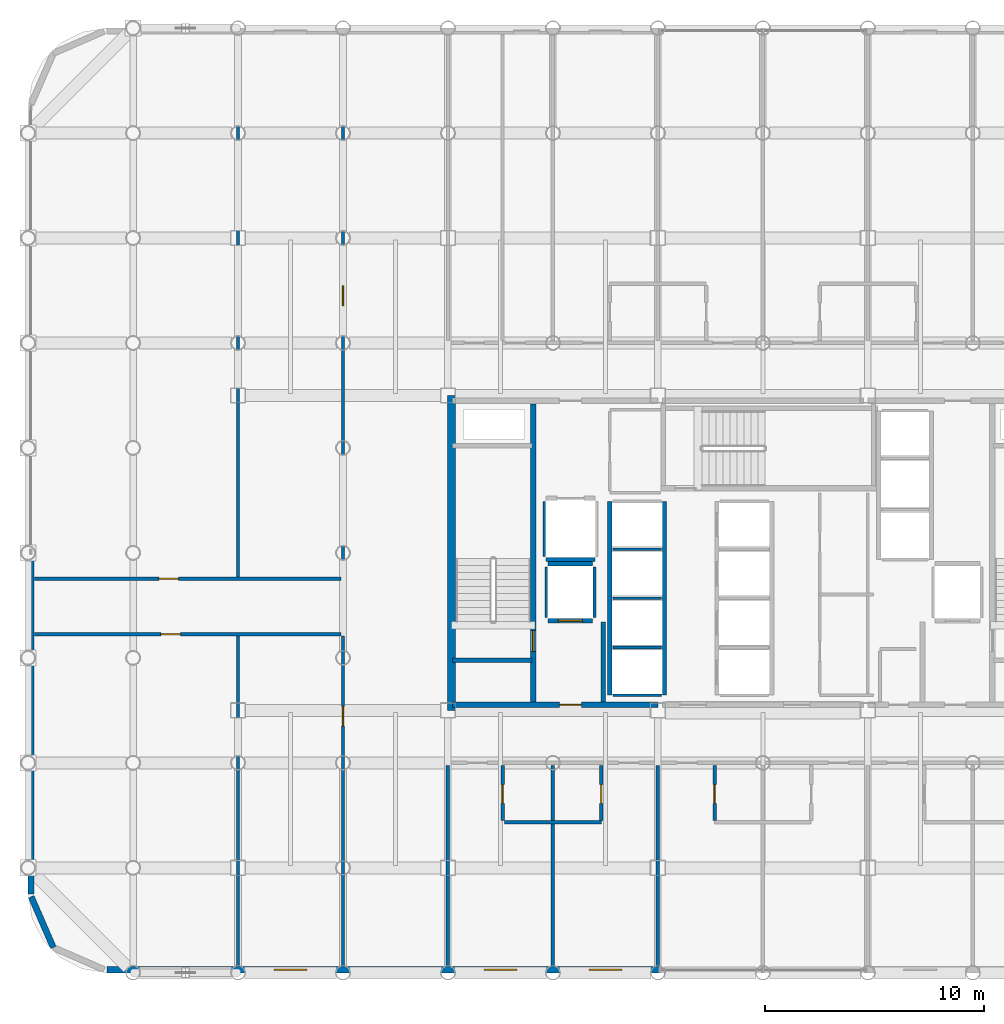
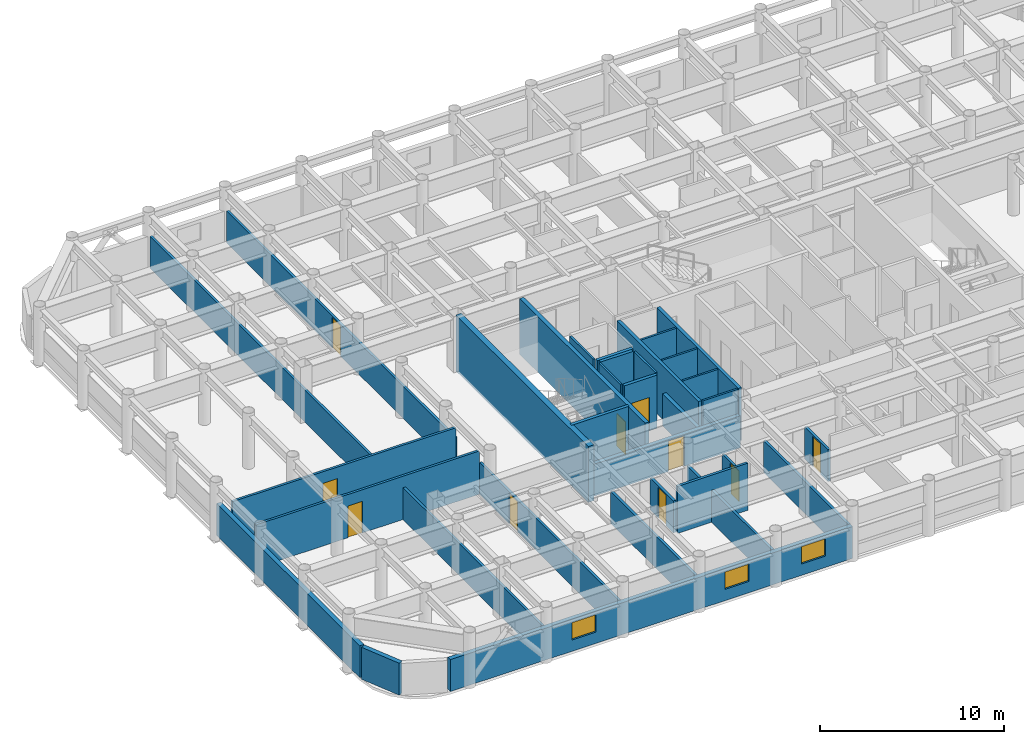
# One storey, part 17 of 23: 33 walls, 10 doors, 3 windows, 13 openings.
"""IFC4 building model written with IfcOpenShell, lengths in metres."""

from ifc_helpers import new_model, si_unit, direction, frame, frame_2d, origin, place, context, subcontext, project, spatial, rectangle, extrude, material, layer, layer_set, type_object, element, fill, save


model = new_model("IFC4")

# Units and contexts
model_context = context("Model", 3, precision=1e-05, world=origin(), true_north=direction((0.0, 1.0)))
body_context = subcontext(model_context, "Body", "Model", "MODEL_VIEW")
ifc_project = project(units=[si_unit("LENGTHUNIT", "METRE"), si_unit("AREAUNIT", "SQUARE_METRE"), si_unit("VOLUMEUNIT", "CUBIC_METRE"), si_unit("PLANEANGLEUNIT", "RADIAN"), si_unit("MASSUNIT", "GRAM", prefix="KILO")], contexts=[model_context])

# Site, building, storey
site_placement = place(None, origin())
site = spatial("IfcSite", under=ifc_project, at=site_placement, CompositionType="ELEMENT")
building_placement = place(site_placement, origin())
building = spatial("IfcBuilding", under=site, at=building_placement, Name="Kallvorn Hotel Tower", CompositionType="ELEMENT")
storey_placement = place(building_placement, frame((0.0, 0.0, 124.800048828125)))
storey = spatial("IfcBuildingStorey", under=building, at=storey_placement, Name="L30", CompositionType="ELEMENT", Elevation=124.800048828125)

# Walls
ifc_material_1 = material(Name="Concrete C50/60", Category="concrete")
ifc_layer_1 = layer(ifc_material_1, 0.35009765625)
ifc_layer_set_1 = layer_set([ifc_layer_1], Name="WL_CORE_350")
wall_type_1 = type_object("IfcWallType", Name="WL_CORE_350", PredefinedType="SHEAR", material=ifc_layer_set_1)
wall_1_placement = place(storey_placement, frame((-14.239990234375, -7.199951171875, -0.179931640625), z_axis=(0.0, 0.0, 1.0), x_axis=(0.0, 1.0, 0.0)))
element("IfcWall", 1, at=wall_1_placement, inside=storey, type_object=wall_type_1, Name="L30 Core West Shear Wall", PredefinedType="SHEAR", context=body_context, shape_type="SweptSolid", body=[
    extrude(rectangle(XDim=14.39990234375, YDim=0.35009765625, at=frame_2d((7.199951171875, 0.0))), origin(), (0.0, 0.0, 1.0), 3.699951171875),
])
ifc_material_2 = material(Name="Fire-rated double-layer acoustic gypsum drywall EI 60")
ifc_layer_2 = layer(ifc_material_2, 0.159912109375)
ifc_layer_set_2 = layer_set([ifc_layer_2], Name="WL_DEMISE_160")
wall_type_2 = type_object("IfcWallType", Name="WL_DEMISE_160", PredefinedType="PARTITIONING", material=ifc_layer_set_2)
wall_2_placement = place(storey_placement, frame((-11.81005859375, -12.320068359375, 0.0), z_axis=(0.0, 0.0, 1.0), x_axis=(1.0, 0.0, 0.0)))
element("IfcWall", 2, at=wall_2_placement, inside=storey, type_object=wall_type_2, Name="L30 Suite 3001 Superior Twin Room Partition", PredefinedType="PARTITIONING", context=body_context, shape_type="SweptSolid", body=[
    extrude(rectangle(XDim=4.420166015625, YDim=0.159912109375, at=frame_2d((2.2099609375, 0.0))), origin(), (0.0, 0.0, 1.0), 3.119873046875),
])
wall_3_placement = place(storey_placement, frame((-14.39990234375, -18.909912109375, 0.0), z_axis=(0.0, 0.0, 1.0), x_axis=(0.0, 1.0, 0.0)))
element("IfcWall", 3, at=wall_3_placement, inside=storey, type_object=wall_type_2, Name="L30 Suite 3001 Superior Twin Room Partition", PredefinedType="PARTITIONING", context=body_context, shape_type="SweptSolid", body=[
    extrude(rectangle(XDim=9.18994140625, YDim=0.159912109375, at=frame_2d((4.594970703125, 0.0))), origin(), (0.0, 0.0, 1.0), 2.119873046875),
])

# Wall, opening, door
wall_4_placement = place(storey_placement, frame((-11.905029296875, -12.235107421875, 0.0), z_axis=(0.0, 0.0, 1.0), x_axis=(0.0, 1.0, 0.0)))
wall_4 = element("IfcWall", 4, at=wall_4_placement, inside=storey, type_object=wall_type_2, Name="L30 Suite 3001 Superior Twin Room Partition", PredefinedType="PARTITIONING", context=body_context, shape_type="SweptSolid", body=[
    extrude(rectangle(XDim=2.51513671875, YDim=0.159912109375, at=frame_2d((1.257568359375, 0.0))), origin(), (0.0, 0.0, 1.0), 2.119873046875),
])
opening_1_placement = place(wall_4_placement, frame((0.784912109375, 0.0, 0.0)))
opening_1 = element("IfcOpeningElement", 5, at=opening_1_placement, cuts=wall_4, Name="Opening BD-IA", PredefinedType="OPENING", context=body_context, shape_type="SweptSolid", body=[
    extrude(rectangle(XDim=0.860107421875, YDim=2.02001953125, at=frame_2d((0.43017578125, 1.010009765625))), frame((0.0, 0.094970703125, 0.0), z_axis=(0.0, -1.0, 0.0), x_axis=(1.0, 0.0, 0.0)), (0.0, 0.0, 1.0), 0.18994140625),
])
ifc_material_3 = material(Name="Solid-core walnut veneer fire-rated timber door leaf", Category="wood")
door_type_1 = type_object("IfcDoorType", Name="DR_BATH_860x2020", OperationType="NOTDEFINED", PredefinedType="DOOR", material=ifc_material_3)
door_1_placement = place(opening_1_placement, origin())
door_1 = element("IfcDoor", 6, at=door_1_placement, inside=storey, type_object=door_type_1, Name="L30 Suite 3001 En-Suite Bathroom Door", OperationType="SINGLE_SWING_LEFT", OverallHeight=2.02001953125, OverallWidth=0.860107421875, PredefinedType="DOOR", context=body_context, shape_type="SweptSolid", body=[
    extrude(rectangle(XDim=0.860107421875, YDim=2.02001953125, at=frame_2d((0.43017578125, 1.010009765625))), frame((0.0, 0.02490234375, 0.0), z_axis=(0.0, -1.0, 0.0), x_axis=(1.0, 0.0, 0.0)), (0.0, 0.0, 1.0), 0.050048828125),
])
fill(opening_1, door_1)

# Wall
wall_5_placement = place(storey_placement, frame((-9.60009765625, -18.909912109375, 0.0), z_axis=(0.0, 0.0, 1.0), x_axis=(0.0, 1.0, 0.0)))
element("IfcWall", 7, at=wall_5_placement, inside=storey, type_object=wall_type_2, Name="L30 Suite 3001 Superior Twin Room Partition", PredefinedType="PARTITIONING", context=body_context, shape_type="SweptSolid", body=[
    extrude(rectangle(XDim=9.18994140625, YDim=0.159912109375, at=frame_2d((4.594970703125, 0.0))), origin(), (0.0, 0.0, 1.0), 2.119873046875),
])

# Wall, opening, door
wall_6_placement = place(storey_placement, frame((-7.389892578125, -12.235107421875, 0.0), z_axis=(0.0, 0.0, 1.0), x_axis=(0.0, 1.0, 0.0)))
wall_6 = element("IfcWall", 8, at=wall_6_placement, inside=storey, type_object=wall_type_2, Name="L30 Suite 3002 Superior Twin Room Partition", PredefinedType="PARTITIONING", context=body_context, shape_type="SweptSolid", body=[
    extrude(rectangle(XDim=2.51513671875, YDim=0.159912109375, at=frame_2d((1.257568359375, 0.0))), origin(), (0.0, 0.0, 1.0), 2.119873046875),
])
opening_2_placement = place(wall_6_placement, frame((0.784912109375, 0.0, 0.0)))
opening_2 = element("IfcOpeningElement", 9, at=opening_2_placement, cuts=wall_6, Name="Opening BD-IA", PredefinedType="OPENING", context=body_context, shape_type="SweptSolid", body=[
    extrude(rectangle(XDim=0.860107421875, YDim=2.02001953125, at=frame_2d((0.43017578125, 1.010009765625))), frame((0.0, 0.094970703125, 0.0), z_axis=(0.0, -1.0, 0.0), x_axis=(1.0, 0.0, 0.0)), (0.0, 0.0, 1.0), 0.18994140625),
])
door_2_placement = place(opening_2_placement, origin())
door_2 = element("IfcDoor", 10, at=door_2_placement, inside=storey, type_object=door_type_1, Name="L30 Suite 3002 En-Suite Bathroom Door", OperationType="SINGLE_SWING_RIGHT", OverallHeight=2.02001953125, OverallWidth=0.860107421875, PredefinedType="DOOR", context=body_context, shape_type="SweptSolid", body=[
    extrude(rectangle(XDim=0.860107421875, YDim=2.02001953125, at=frame_2d((0.43017578125, 1.010009765625))), frame((0.0, 0.02490234375, 0.0), z_axis=(0.0, -1.0, 0.0), x_axis=(1.0, 0.0, 0.0)), (0.0, 0.0, 1.0), 0.050048828125),
])
fill(opening_2, door_2)

# Wall
wall_7_placement = place(storey_placement, frame((-4.800048828125, -18.909912109375, 0.0), z_axis=(0.0, 0.0, 1.0), x_axis=(0.0, 1.0, 0.0)))
element("IfcWall", 11, at=wall_7_placement, inside=storey, type_object=wall_type_2, Name="L30 Suite 3002 Superior Twin Room Partition", PredefinedType="PARTITIONING", context=body_context, shape_type="SweptSolid", body=[
    extrude(rectangle(XDim=9.18994140625, YDim=0.159912109375, at=frame_2d((4.594970703125, 0.0))), origin(), (0.0, 0.0, 1.0), 2.119873046875),
])

# Wall, opening, door
wall_8_placement = place(storey_placement, frame((-2.2099609375, -12.235107421875, 0.0), z_axis=(0.0, 0.0, 1.0), x_axis=(0.0, 1.0, 0.0)))
wall_8 = element("IfcWall", 12, at=wall_8_placement, inside=storey, type_object=wall_type_2, Name="L30 Suite 3003 Superior Twin Room Partition", PredefinedType="PARTITIONING", context=body_context, shape_type="SweptSolid", body=[
    extrude(rectangle(XDim=2.51513671875, YDim=0.159912109375, at=frame_2d((1.257568359375, 0.0))), origin(), (0.0, 0.0, 1.0), 2.119873046875),
])
opening_3_placement = place(wall_8_placement, frame((0.784912109375, 0.0, 0.0)))
opening_3 = element("IfcOpeningElement", 13, at=opening_3_placement, cuts=wall_8, Name="Opening BD-IA", PredefinedType="OPENING", context=body_context, shape_type="SweptSolid", body=[
    extrude(rectangle(XDim=0.860107421875, YDim=2.02001953125, at=frame_2d((0.43017578125, 1.010009765625))), frame((0.0, 0.094970703125, 0.0), z_axis=(0.0, -1.0, 0.0), x_axis=(1.0, 0.0, 0.0)), (0.0, 0.0, 1.0), 0.18994140625),
])
door_3_placement = place(opening_3_placement, origin())
door_3 = element("IfcDoor", 14, at=door_3_placement, inside=storey, type_object=door_type_1, Name="L30 Suite 3003 En-Suite Bathroom Door", OperationType="SINGLE_SWING_LEFT", OverallHeight=2.02001953125, OverallWidth=0.860107421875, PredefinedType="DOOR", context=body_context, shape_type="SweptSolid", body=[
    extrude(rectangle(XDim=0.860107421875, YDim=2.02001953125, at=frame_2d((0.43017578125, 1.010009765625))), frame((0.0, 0.02490234375, 0.0), z_axis=(0.0, -1.0, 0.0), x_axis=(1.0, 0.0, 0.0)), (0.0, 0.0, 1.0), 0.050048828125),
])
fill(opening_3, door_3)

# Wall
ifc_material_4 = material(Name="Precast basalt-clad insulated concrete wall C40/50", Category="masonry")
ifc_layer_3 = layer(ifc_material_4, 0.280029296875)
ifc_layer_set_3 = layer_set([ifc_layer_3], Name="WL_EXT_LOGGIA_280")
wall_type_3 = type_object("IfcWallType", Name="WL_EXT_LOGGIA_280", PredefinedType="SOLIDWALL", material=ifc_layer_set_3)
wall_9_placement = place(storey_placement, frame((-33.4580078125, -15.720703125, 0.0), z_axis=(0.0, 0.0, 1.0), x_axis=(0.398792985289, -0.917040977756, 0.0)))
element("IfcWall", 15, at=wall_9_placement, inside=storey, type_object=wall_type_3, Name="L30 Rounded Corner Exterior Wall SW1", PredefinedType="SOLIDWALL", context=body_context, shape_type="SweptSolid", body=[
    extrude(rectangle(XDim=2.536376953125, YDim=0.280029296875, at=frame_2d((1.26806640625, 0.0))), origin(), (0.0, 0.0, 1.0), 2.119873046875),
])

# Wall, openings, windows
wall_10_placement = place(storey_placement, frame((-30.0, -19.06005859375, 0.0), z_axis=(0.0, 0.0, 1.0), x_axis=(1.0, 0.0, 0.0)))
wall_10 = element("IfcWall", 16, at=wall_10_placement, inside=storey, type_object=wall_type_3, Name="L30 Exterior Envelope Wall EW-L30-SW", PredefinedType="SOLIDWALL", context=body_context, shape_type="SweptSolid", body=[
    extrude(rectangle(XDim=25.25, YDim=0.280029296875, at=frame_2d((12.625, 0.0))), origin(), (0.0, 0.0, 1.0), 2.119873046875),
])
opening_4_placement = place(wall_10_placement, frame((7.64990234375, 0.0, 0.75)))
opening_4 = element("IfcOpeningElement", 17, at=opening_4_placement, cuts=wall_10, Name="Opening W05A", PredefinedType="OPENING", context=body_context, shape_type="SweptSolid", body=[
    extrude(rectangle(XDim=1.5, YDim=1.14990234375, at=frame_2d((0.75, 0.574951171875))), frame((0.0, 0.155029296875, 0.0), z_axis=(0.0, -1.0, 0.0), x_axis=(1.0, 0.0, 0.0)), (0.0, 0.0, 1.0), 0.31005859375),
])
opening_5_placement = place(wall_10_placement, frame((17.25, 0.0, 0.75)))
opening_5 = element("IfcOpeningElement", 18, at=opening_5_placement, cuts=wall_10, Name="Opening W05A", PredefinedType="OPENING", context=body_context, shape_type="SweptSolid", body=[
    extrude(rectangle(XDim=1.5, YDim=1.14990234375, at=frame_2d((0.75, 0.574951171875))), frame((0.0, 0.155029296875, 0.0), z_axis=(0.0, -1.0, 0.0), x_axis=(1.0, 0.0, 0.0)), (0.0, 0.0, 1.0), 0.31005859375),
])
opening_6_placement = place(wall_10_placement, frame((22.050048828125, 0.0, 0.75)))
opening_6 = element("IfcOpeningElement", 19, at=opening_6_placement, cuts=wall_10, Name="Opening W05A", PredefinedType="OPENING", context=body_context, shape_type="SweptSolid", body=[
    extrude(rectangle(XDim=1.5, YDim=1.14990234375, at=frame_2d((0.75, 0.574951171875))), frame((0.0, 0.155029296875, 0.0), z_axis=(0.0, -1.0, 0.0), x_axis=(1.0, 0.0, 0.0)), (0.0, 0.0, 1.0), 0.31005859375),
])
ifc_material_5 = material(Name="Double-glazed low-e solar-control dark glass", Category="glass")
window_type = type_object("IfcWindowType", Name="WN_HTL_1500x1150", PartitioningType="SINGLE_PANEL", PredefinedType="WINDOW", material=ifc_material_5)
window_1_placement = place(opening_4_placement, origin())
window_1 = element("IfcWindow", 20, at=window_1_placement, inside=storey, type_object=window_type, Name="L30 Guestroom Exterior Window 01", OverallHeight=1.14990234375, OverallWidth=1.5, PartitioningType="SINGLE_PANEL", PredefinedType="WINDOW", context=body_context, shape_type="SweptSolid", body=[
    extrude(rectangle(XDim=1.5, YDim=1.14990234375, at=frame_2d((0.75, 0.574951171875))), frame((0.0, 0.030029296875, 0.0), z_axis=(0.0, -1.0, 0.0), x_axis=(1.0, 0.0, 0.0)), (0.0, 0.0, 1.0), 0.06005859375),
])
fill(opening_4, window_1)
window_2_placement = place(opening_5_placement, origin())
window_2 = element("IfcWindow", 21, at=window_2_placement, inside=storey, type_object=window_type, Name="L30 Guestroom Exterior Window 05", OverallHeight=1.14990234375, OverallWidth=1.5, PartitioningType="SINGLE_PANEL", PredefinedType="WINDOW", context=body_context, shape_type="SweptSolid", body=[
    extrude(rectangle(XDim=1.5, YDim=1.14990234375, at=frame_2d((0.75, 0.574951171875))), frame((0.0, 0.030029296875, 0.0), z_axis=(0.0, -1.0, 0.0), x_axis=(1.0, 0.0, 0.0)), (0.0, 0.0, 1.0), 0.06005859375),
])
fill(opening_5, window_2)
window_3_placement = place(opening_6_placement, origin())
window_3 = element("IfcWindow", 22, at=window_3_placement, inside=storey, type_object=window_type, Name="L30 Guestroom Exterior Window 06", OverallHeight=1.14990234375, OverallWidth=1.5, PartitioningType="SINGLE_PANEL", PredefinedType="WINDOW", context=body_context, shape_type="SweptSolid", body=[
    extrude(rectangle(XDim=1.5, YDim=1.14990234375, at=frame_2d((0.75, 0.574951171875))), frame((0.0, 0.030029296875, 0.0), z_axis=(0.0, -1.0, 0.0), x_axis=(1.0, 0.0, 0.0)), (0.0, 0.0, 1.0), 0.06005859375),
])
fill(opening_6, window_3)

# Walls
wall_11_placement = place(storey_placement, frame((-33.4599609375, -15.60009765625, 0.0), z_axis=(0.0, 0.0, 1.0), x_axis=(0.0, 1.0, 0.0)))
element("IfcWall", 23, at=wall_11_placement, inside=storey, type_object=wall_type_3, Name="L30 Exterior Envelope Wall EW-L30-WS", PredefinedType="SOLIDWALL", context=body_context, shape_type="SweptSolid", body=[
    extrude(rectangle(XDim=15.580078125, YDim=0.280029296875, at=frame_2d((7.7900390625, 0.0))), origin(), (0.0, 0.0, 1.0), 2.119873046875),
])
ifc_material_6 = material(Name="Concrete C40/50", Category="concrete")
ifc_layer_4 = layer(ifc_material_6, 0.219970703125)
ifc_layer_set_4 = layer_set([ifc_layer_4], Name="WL_FFL_220")
wall_type_4 = type_object("IfcWallType", Name="WL_FFL_220", PredefinedType="SOLIDWALL", material=ifc_layer_set_4)
wall_12_placement = place(storey_placement, frame((-7.300048828125, -6.820068359375, 0.0), z_axis=(0.0, 0.0, 1.0), x_axis=(0.0, 1.0, 0.0)))
element("IfcWall", 24, at=wall_12_placement, inside=storey, type_object=wall_type_4, Name="L30 Firefighting Lobby West Divider Wall", PredefinedType="SOLIDWALL", context=body_context, shape_type="SweptSolid", body=[
    extrude(rectangle(XDim=3.670166015625, YDim=0.219970703125, at=frame_2d((1.8349609375, 0.0))), origin(), (0.0, 0.0, 1.0), 2.119873046875),
])
ifc_material_7 = material(Name="Concrete C40/50", Category="concrete")
ifc_layer_5 = layer(ifc_material_7, 0.199951171875)
ifc_layer_set_5 = layer_set([ifc_layer_5], Name="WL_HOIST_200")
wall_type_5 = type_object("IfcWallType", Name="WL_HOIST_200", PredefinedType="SOLIDWALL", material=ifc_layer_set_5)
wall_13_placement = place(storey_placement, frame((-14.199951171875, -4.89990234375, -0.179931640625), z_axis=(0.0, 0.0, 1.0), x_axis=(1.0, 0.0, 0.0)))
element("IfcWall", 25, at=wall_13_placement, inside=storey, type_object=wall_type_5, Name="L30 Stair ST1 South Wall", PredefinedType="SOLIDWALL", context=body_context, shape_type="SweptSolid", body=[
    extrude(rectangle(XDim=3.64990234375, YDim=0.199951171875, at=frame_2d((1.824951171875, 0.0))), origin(), (0.0, 0.0, 1.0), 3.699951171875),
])
for number, where, z_axis, x_axis, name in (
    (26, (-4.5, -6.5, 0.0), (0.0, 0.0, 1.0), (0.0, 1.0, 0.0), "L30 Lift Bank B1 Landing Wall"),
    (27, (-7.0, -6.5, 0.0), (0.0, 0.0, 1.0), (0.0, 1.0, 0.0), "L30 Lift Bank B1 Rear Shaft Wall"),
):
    element("IfcWall", number, at=place(storey_placement, frame(where, z_axis=z_axis, x_axis=x_axis)), inside=storey, type_object=wall_type_5, Name=name, PredefinedType="SOLIDWALL", context=body_context, shape_type="SweptSolid", body=[
        extrude(rectangle(XDim=8.85009765625, YDim=0.199951171875, at=frame_2d((4.425048828125, 0.0))), origin(), (0.0, 0.0, 1.0), 3.52001953125),
    ])

# Wall, opening, door
wall_14_placement = place(storey_placement, frame((-9.820068359375, -3.10009765625, 0.0), z_axis=(0.0, 0.0, 1.0), x_axis=(1.0, 0.0, 0.0)))
wall_14 = element("IfcWall", 28, at=wall_14_placement, inside=storey, type_object=wall_type_5, Name="L30 FL-1 Landing Wall", PredefinedType="SOLIDWALL", context=body_context, shape_type="SweptSolid", body=[
    extrude(rectangle(XDim=2.0400390625, YDim=0.199951171875, at=frame_2d((1.02001953125, 0.0))), origin(), (0.0, 0.0, 1.0), 3.52001953125),
])
opening_7_placement = place(wall_14_placement, frame((0.469970703125, 0.0, 0.0)))
opening_7 = element("IfcOpeningElement", 29, at=opening_7_placement, cuts=wall_14, Name="Opening LD-FL-1", PredefinedType="OPENING", context=body_context, shape_type="SweptSolid", body=[
    extrude(rectangle(XDim=1.10009765625, YDim=2.199951171875, at=frame_2d((0.550048828125, 1.10009765625))), frame((0.0, 0.114990234375, 0.0), z_axis=(0.0, -1.0, 0.0), x_axis=(1.0, 0.0, 0.0)), (0.0, 0.0, 1.0), 0.22998046875),
])
ifc_material_8 = material(Name="Brushed stainless-steel automatic sliding lift landing door", Category="steel")
door_type_2 = type_object("IfcDoorType", Name="LD_PASS_1100x2200", OperationType="SLIDING_TO_LEFT", PredefinedType="DOOR", material=ifc_material_8)
door_4_placement = place(opening_7_placement, origin())
door_4 = element("IfcDoor", 30, at=door_4_placement, inside=storey, type_object=door_type_2, Name="L30 Lift Landing Sliding Door LD-FL-1", OperationType="SLIDING_TO_LEFT", OverallHeight=2.199951171875, OverallWidth=1.10009765625, PredefinedType="DOOR", context=body_context, shape_type="SweptSolid", body=[
    extrude(rectangle(XDim=1.10009765625, YDim=2.199951171875, at=frame_2d((0.550048828125, 1.10009765625))), frame((0.0, 0.02490234375, 0.0), z_axis=(0.0, -1.0, 0.0), x_axis=(1.0, 0.0, 0.0)), (0.0, 0.0, 1.0), 0.050048828125),
])
fill(opening_7, door_4)

# Walls
wall_15_placement = place(storey_placement, frame((-9.820068359375, -0.5, 0.0), z_axis=(0.0, 0.0, 1.0), x_axis=(1.0, 0.0, 0.0)))
element("IfcWall", 31, at=wall_15_placement, inside=storey, type_object=wall_type_5, Name="L30 FL-1 Rear Shaft Wall", PredefinedType="SOLIDWALL", context=body_context, shape_type="SweptSolid", body=[
    extrude(rectangle(XDim=2.0400390625, YDim=0.199951171875, at=frame_2d((1.02001953125, 0.0))), origin(), (0.0, 0.0, 1.0), 3.52001953125),
])
wall_16_placement = place(storey_placement, frame((-9.919921875, -0.300048828125, 0.0), z_axis=(0.0, 0.0, 1.0), x_axis=(1.0, 0.0, 0.0)))
element("IfcWall", 32, at=wall_16_placement, inside=storey, type_object=wall_type_5, Name="L30 SV-01 Rear Shaft Wall", PredefinedType="SOLIDWALL", context=body_context, shape_type="SweptSolid", body=[
    extrude(rectangle(XDim=2.239990234375, YDim=0.199951171875, at=frame_2d((1.1201171875, 0.0))), origin(), (0.0, 0.0, 1.0), 3.52001953125),
])
ifc_material_9 = material(Name="Fire-rated double-layer acoustic gypsum drywall EI 60")
ifc_layer_6 = layer(ifc_material_9, 0.1201171875)
ifc_layer_set_6 = layer_set([ifc_layer_6], Name="WL_INT_120")
wall_type_6 = type_object("IfcWallType", Name="WL_INT_120", PredefinedType="PARTITIONING", material=ifc_layer_set_6)
for number, where, z_axis, x_axis, name in (
    (33, (-6.860107421875, -6.5, 0.0), (0.0, 0.0, 1.0), (1.0, 0.0, 0.0), "L30 Lift Bank B1 South Closure Wall"),
    (34, (-6.860107421875, -4.324951171875, 0.0), (0.0, 0.0, 1.0), (1.0, 0.0, 0.0), "L30 PL-01 Hoistway Divider"),
    (35, (-6.860107421875, -2.074951171875, 0.0), (0.0, 0.0, 1.0), (1.0, 0.0, 0.0), "L30 PL-02 Hoistway Divider"),
    (36, (-6.860107421875, 0.175048828125, 0.0), (0.0, 0.0, 1.0), (1.0, 0.0, 0.0), "L30 PL-03 Hoistway Divider"),
):
    element("IfcWall", number, at=place(storey_placement, frame(where, z_axis=z_axis, x_axis=x_axis)), inside=storey, type_object=wall_type_6, Name=name, PredefinedType="PARTITIONING", context=body_context, shape_type="SweptSolid", body=[
        extrude(rectangle(XDim=2.22021484375, YDim=0.1201171875, at=frame_2d((1.110107421875, 0.0))), origin(), (0.0, 0.0, 1.0), 3.52001953125),
    ])
for number, where, z_axis, x_axis, name in (
    (37, (-9.89990234375, -2.9599609375, 0.0), (0.0, 0.0, 1.0), (0.0, 1.0, 0.0), "L30 FL-1 West Shaft Wall"),
    (38, (-7.699951171875, -2.9599609375, 0.0), (0.0, 0.0, 1.0), (0.0, 1.0, 0.0), "L30 FL-1 East Shaft Wall"),
):
    element("IfcWall", number, at=place(storey_placement, frame(where, z_axis=z_axis, x_axis=x_axis)), inside=storey, type_object=wall_type_6, Name=name, PredefinedType="PARTITIONING", context=body_context, shape_type="SweptSolid", body=[
        extrude(rectangle(XDim=2.320068359375, YDim=0.1201171875, at=frame_2d((1.16015625, 0.0))), origin(), (0.0, 0.0, 1.0), 3.52001953125),
    ])
wall_17_placement = place(storey_placement, frame((-10.0, -0.159912109375, 0.0), z_axis=(0.0, 0.0, 1.0), x_axis=(0.0, 1.0, 0.0)))
element("IfcWall", 39, at=wall_17_placement, inside=storey, type_object=wall_type_6, Name="L30 SV-01 West Shaft Wall", PredefinedType="PARTITIONING", context=body_context, shape_type="SweptSolid", body=[
    extrude(rectangle(XDim=2.52001953125, YDim=0.1201171875, at=frame_2d((1.260009765625, 0.0))), origin(), (0.0, 0.0, 1.0), 3.52001953125),
])

# Wall, opening, door
ifc_material_10 = material(Name="Fire-rated double-layer acoustic gypsum drywall EI 60")
ifc_layer_7 = layer(ifc_material_10, 0.14990234375)
ifc_layer_set_7 = layer_set([ifc_layer_7], Name="WL_PART_150")
wall_type_7 = type_object("IfcWallType", Name="WL_PART_150", PredefinedType="PARTITIONING", material=ifc_layer_set_7)
wall_18_placement = place(storey_placement, frame((-33.31005859375, -3.719970703125, 0.0), z_axis=(0.0, 0.0, 1.0), x_axis=(1.0, 0.0, 0.0)))
wall_18 = element("IfcWall", 40, at=wall_18_placement, inside=storey, type_object=wall_type_7, Name="L30 L30 Outer South-West Tea Bar Partition", PredefinedType="PARTITIONING", context=body_context, shape_type="SweptSolid", body=[
    extrude(rectangle(XDim=14.030029296875, YDim=0.14990234375, at=frame_2d((7.01513671875, 0.0))), origin(), (0.0, 0.0, 1.0), 2.869873046875),
])
opening_8_placement = place(wall_18_placement, frame((5.78515625, 0.0, 0.0)))
opening_8 = element("IfcOpeningElement", 41, at=opening_8_placement, cuts=wall_18, Name="Opening SVD1", PredefinedType="OPENING", context=body_context, shape_type="SweptSolid", body=[
    extrude(rectangle(XDim=0.89990234375, YDim=2.10009765625, at=frame_2d((0.449951171875, 1.050048828125))), frame((0.0, 0.08984375, 0.0), z_axis=(0.0, -1.0, 0.0), x_axis=(1.0, 0.0, 0.0)), (0.0, 0.0, 1.0), 0.179931640625),
])
ifc_material_11 = material(Name="Galvanised painted steel fire-rated door assembly", Category="steel")
door_type_3 = type_object("IfcDoorType", Name="DR_SERV_900x2100", OperationType="NOTDEFINED", PredefinedType="DOOR", material=ifc_material_11)
door_5_placement = place(opening_8_placement, origin())
door_5 = element("IfcDoor", 42, at=door_5_placement, inside=storey, type_object=door_type_3, Name="L30 L30 Outer South-West Tea Bar Door", OperationType="SINGLE_SWING_RIGHT", OverallHeight=2.10009765625, OverallWidth=0.89990234375, PredefinedType="DOOR", context=body_context, shape_type="SweptSolid", body=[
    extrude(rectangle(XDim=0.89990234375, YDim=2.10009765625, at=frame_2d((0.449951171875, 1.050048828125))), frame((0.0, 0.02490234375, 0.0), z_axis=(0.0, -1.0, 0.0), x_axis=(1.0, 0.0, 0.0)), (0.0, 0.0, 1.0), 0.050048828125),
])
fill(opening_8, door_5)

wall_19_placement = place(storey_placement, frame((-33.31005859375, -1.179931640625, 0.0), z_axis=(0.0, 0.0, 1.0), x_axis=(1.0, 0.0, 0.0)))
wall_19 = element("IfcWall", 43, at=wall_19_placement, inside=storey, type_object=wall_type_7, Name="L30 L30 Outer North-West Fitness Gymnasium Partition", PredefinedType="PARTITIONING", context=body_context, shape_type="SweptSolid", body=[
    extrude(rectangle(XDim=14.030029296875, YDim=0.14990234375, at=frame_2d((7.01513671875, 0.0))), origin(), (0.0, 0.0, 1.0), 2.869873046875),
])
opening_9_placement = place(wall_19_placement, frame((5.685791015625, 0.0, 0.0)))
opening_9 = element("IfcOpeningElement", 44, at=opening_9_placement, cuts=wall_19, Name="Opening SVD1", PredefinedType="OPENING", context=body_context, shape_type="SweptSolid", body=[
    extrude(rectangle(XDim=0.89990234375, YDim=2.10009765625, at=frame_2d((0.449951171875, 1.050048828125))), frame((0.0, 0.08984375, 0.0), z_axis=(0.0, -1.0, 0.0), x_axis=(1.0, 0.0, 0.0)), (0.0, 0.0, 1.0), 0.179931640625),
])
door_6_placement = place(opening_9_placement, origin())
door_6 = element("IfcDoor", 45, at=door_6_placement, inside=storey, type_object=door_type_3, Name="L30 L30 Outer North-West Fitness Gymnasium Door", OperationType="SINGLE_SWING_LEFT", OverallHeight=2.10009765625, OverallWidth=0.89990234375, PredefinedType="DOOR", context=body_context, shape_type="SweptSolid", body=[
    extrude(rectangle(XDim=0.89990234375, YDim=2.10009765625, at=frame_2d((0.449951171875, 1.050048828125))), frame((0.0, 0.02490234375, 0.0), z_axis=(0.0, -1.0, 0.0), x_axis=(1.0, 0.0, 0.0)), (0.0, 0.0, 1.0), 0.050048828125),
])
fill(opening_9, door_6)

# Walls
wall_20_placement = place(storey_placement, frame((-24.0, -18.909912109375, 0.0), z_axis=(0.0, 0.0, 1.0), x_axis=(0.0, 1.0, 0.0)))
element("IfcWall", 46, at=wall_20_placement, inside=storey, type_object=wall_type_7, Name="L30 L30 Inner South-West Wine Gallery Partition", PredefinedType="PARTITIONING", context=body_context, shape_type="SweptSolid", body=[
    extrude(rectangle(XDim=15.10498046875, YDim=0.14990234375, at=frame_2d((7.552490234375, 0.0))), origin(), (0.0, 0.0, 1.0), 2.119873046875),
])
wall_21_placement = place(storey_placement, frame((-24.0, -1.094970703125, 0.0), z_axis=(0.0, 0.0, 1.0), x_axis=(0.0, 1.0, 0.0)))
element("IfcWall", 47, at=wall_21_placement, inside=storey, type_object=wall_type_7, Name="L30 L30 Inner North-West Reading Salon Partition", PredefinedType="PARTITIONING", context=body_context, shape_type="SweptSolid", body=[
    extrude(rectangle(XDim=24.804931640625, YDim=0.14990234375, at=frame_2d((12.40234375, 0.0))), origin(), (0.0, 0.0, 1.0), 2.119873046875),
])

# Wall, opening, door
wall_22_placement = place(storey_placement, frame((-19.199951171875, -18.909912109375, 0.0), z_axis=(0.0, 0.0, 1.0), x_axis=(0.0, 1.0, 0.0)))
wall_22 = element("IfcWall", 48, at=wall_22_placement, inside=storey, type_object=wall_type_7, Name="L30 L30 Inner South-West Wine Gallery Partition", PredefinedType="PARTITIONING", context=body_context, shape_type="SweptSolid", body=[
    extrude(rectangle(XDim=15.10498046875, YDim=0.14990234375, at=frame_2d((7.552490234375, 0.0))), origin(), (0.0, 0.0, 1.0), 2.119873046875),
])
opening_10_placement = place(wall_22_placement, frame((10.99267578125, 0.0, 0.0)))
opening_10 = element("IfcOpeningElement", 49, at=opening_10_placement, cuts=wall_22, Name="Opening SVD1A", PredefinedType="OPENING", context=body_context, shape_type="SweptSolid", body=[
    extrude(rectangle(XDim=0.89990234375, YDim=2.02001953125, at=frame_2d((0.449951171875, 1.010009765625))), frame((0.0, 0.08984375, 0.0), z_axis=(0.0, -1.0, 0.0), x_axis=(1.0, 0.0, 0.0)), (0.0, 0.0, 1.0), 0.179931640625),
])
ifc_material_12 = material(Name="Galvanised painted steel fire-rated door assembly", Category="steel")
door_type_4 = type_object("IfcDoorType", Name="DR_SERV_900x2020", OperationType="NOTDEFINED", PredefinedType="DOOR", material=ifc_material_12)
door_7_placement = place(opening_10_placement, origin())
door_7 = element("IfcDoor", 50, at=door_7_placement, inside=storey, type_object=door_type_4, Name="L30 L30 Inner South-West Wine Gallery Door", OperationType="SINGLE_SWING_LEFT", OverallHeight=2.02001953125, OverallWidth=0.89990234375, PredefinedType="DOOR", context=body_context, shape_type="SweptSolid", body=[
    extrude(rectangle(XDim=0.89990234375, YDim=2.02001953125, at=frame_2d((0.449951171875, 1.010009765625))), frame((0.0, 0.02490234375, 0.0), z_axis=(0.0, -1.0, 0.0), x_axis=(1.0, 0.0, 0.0)), (0.0, 0.0, 1.0), 0.050048828125),
])
fill(opening_10, door_7)

wall_23_placement = place(storey_placement, frame((-19.199951171875, -1.094970703125, 0.0), z_axis=(0.0, 0.0, 1.0), x_axis=(0.0, 1.0, 0.0)))
wall_23 = element("IfcWall", 51, at=wall_23_placement, inside=storey, type_object=wall_type_7, Name="L30 L30 Inner North-West Reading Salon Partition", PredefinedType="PARTITIONING", context=body_context, shape_type="SweptSolid", body=[
    extrude(rectangle(XDim=24.804931640625, YDim=0.14990234375, at=frame_2d((12.40234375, 0.0))), origin(), (0.0, 0.0, 1.0), 2.119873046875),
])
opening_11_placement = place(wall_23_placement, frame((12.40185546875, 0.0, 0.0)))
opening_11 = element("IfcOpeningElement", 52, at=opening_11_placement, cuts=wall_23, Name="Opening SVD1A", PredefinedType="OPENING", context=body_context, shape_type="SweptSolid", body=[
    extrude(rectangle(XDim=0.89990234375, YDim=2.02001953125, at=frame_2d((0.449951171875, 1.010009765625))), frame((0.0, 0.08984375, 0.0), z_axis=(0.0, -1.0, 0.0), x_axis=(1.0, 0.0, 0.0)), (0.0, 0.0, 1.0), 0.179931640625),
])
door_8_placement = place(opening_11_placement, origin())
door_8 = element("IfcDoor", 53, at=door_8_placement, inside=storey, type_object=door_type_4, Name="L30 L30 Inner North-West Reading Salon Door", OperationType="SINGLE_SWING_LEFT", OverallHeight=2.02001953125, OverallWidth=0.89990234375, PredefinedType="DOOR", context=body_context, shape_type="SweptSolid", body=[
    extrude(rectangle(XDim=0.89990234375, YDim=2.02001953125, at=frame_2d((0.449951171875, 1.010009765625))), frame((0.0, 0.02490234375, 0.0), z_axis=(0.0, -1.0, 0.0), x_axis=(1.0, 0.0, 0.0)), (0.0, 0.0, 1.0), 0.050048828125),
])
fill(opening_11, door_8)

ifc_material_13 = material(Name="Concrete C40/50", Category="concrete")
ifc_layer_8 = layer(ifc_material_13, 0.25)
ifc_layer_set_8 = layer_set([ifc_layer_8], Name="WL_SHAFT_250")
wall_type_8 = type_object("IfcWallType", Name="WL_SHAFT_250", PredefinedType="SOLIDWALL", material=ifc_layer_set_8)
wall_24_placement = place(storey_placement, frame((-14.199951171875, -6.949951171875, 0.0), z_axis=(0.0, 0.0, 1.0), x_axis=(1.0, 0.0, 0.0)))
wall_24 = element("IfcWall", 54, at=wall_24_placement, inside=storey, type_object=wall_type_8, Name="L30 Core South-West Wall", PredefinedType="SOLIDWALL", context=body_context, shape_type="SweptSolid", body=[
    extrude(rectangle(XDim=9.39990234375, YDim=0.25, at=frame_2d((4.699951171875, 0.0))), origin(), (0.0, 0.0, 1.0), 2.119873046875),
])
opening_12_placement = place(wall_24_placement, frame((4.89990234375, 0.0, 0.0)))
opening_12 = element("IfcOpeningElement", 55, at=opening_12_placement, cuts=wall_24, Name="Opening FD1A", PredefinedType="OPENING", context=body_context, shape_type="SweptSolid", body=[
    extrude(rectangle(XDim=1.0, YDim=2.02001953125, at=frame_2d((0.5, 1.010009765625))), frame((0.0, 0.139892578125, 0.0), z_axis=(0.0, -1.0, 0.0), x_axis=(1.0, 0.0, 0.0)), (0.0, 0.0, 1.0), 0.280029296875),
])
ifc_material_14 = material(Name="Galvanised painted steel fire-rated door assembly", Category="steel")
door_type_5 = type_object("IfcDoorType", Name="DR_FFL_1000x2020", OperationType="NOTDEFINED", PredefinedType="DOOR", material=ifc_material_14)
door_9_placement = place(opening_12_placement, origin())
door_9 = element("IfcDoor", 56, at=door_9_placement, inside=storey, type_object=door_type_5, Name="L30 Firefighting Lobby West Door", OperationType="SINGLE_SWING_RIGHT", OverallHeight=2.02001953125, OverallWidth=1.0, PredefinedType="DOOR", context=body_context, shape_type="SweptSolid", body=[
    extrude(rectangle(XDim=1.0, YDim=2.02001953125, at=frame_2d((0.5, 1.010009765625))), frame((0.0, 0.02490234375, 0.0), z_axis=(0.0, -1.0, 0.0), x_axis=(1.0, 0.0, 0.0)), (0.0, 0.0, 1.0), 0.050048828125),
])
fill(opening_12, door_9)

wall_25_placement = place(storey_placement, frame((-10.5, -6.820068359375, -0.179931640625), z_axis=(0.0, 0.0, 1.0), x_axis=(0.0, 1.0, 0.0)))
wall_25 = element("IfcWall", 57, at=wall_25_placement, inside=storey, type_object=wall_type_8, Name="L30 Stair ST1 Shaft Wall", PredefinedType="SOLIDWALL", context=body_context, shape_type="SweptSolid", body=[
    extrude(rectangle(XDim=13.64013671875, YDim=0.25, at=frame_2d((6.820068359375, 0.0))), origin(), (0.0, 0.0, 1.0), 3.699951171875),
])
opening_13_placement = place(wall_25_placement, frame((2.320068359375, 0.0, 0.179931640625)))
opening_13 = element("IfcOpeningElement", 58, at=opening_13_placement, cuts=wall_25, Name="Opening SD1", PredefinedType="OPENING", context=body_context, shape_type="SweptSolid", body=[
    extrude(rectangle(XDim=0.949951171875, YDim=2.14990234375, at=frame_2d((0.47509765625, 1.074951171875))), frame((0.0, 0.139892578125, 0.0), z_axis=(0.0, -1.0, 0.0), x_axis=(1.0, 0.0, 0.0)), (0.0, 0.0, 1.0), 0.280029296875),
])
ifc_material_15 = material(Name="Galvanised painted steel fire-rated door assembly", Category="steel")
door_type_6 = type_object("IfcDoorType", Name="DR_STAIR_950x2150", OperationType="NOTDEFINED", PredefinedType="DOOR", material=ifc_material_15)
door_10_placement = place(opening_13_placement, origin())
door_10 = element("IfcDoor", 59, at=door_10_placement, inside=storey, type_object=door_type_6, Name="L30 Exit Stair ST1 Fire Door", OperationType="SINGLE_SWING_RIGHT", OverallHeight=2.14990234375, OverallWidth=0.949951171875, PredefinedType="DOOR", context=body_context, shape_type="SweptSolid", body=[
    extrude(rectangle(XDim=0.949951171875, YDim=2.14990234375, at=frame_2d((0.47509765625, 1.074951171875))), frame((0.0, 0.02490234375, 0.0), z_axis=(0.0, -1.0, 0.0), x_axis=(1.0, 0.0, 0.0)), (0.0, 0.0, 1.0), 0.050048828125),
])
fill(opening_13, door_10)

save(model, "model.ifc")
